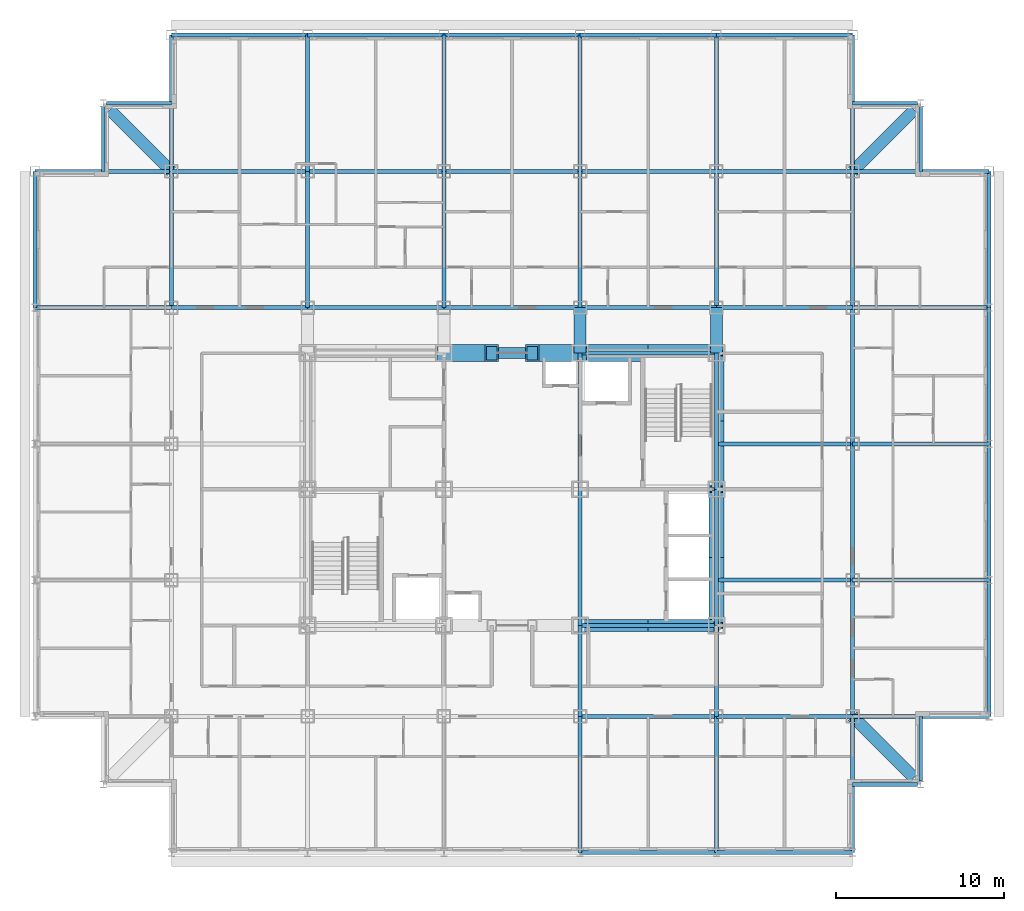
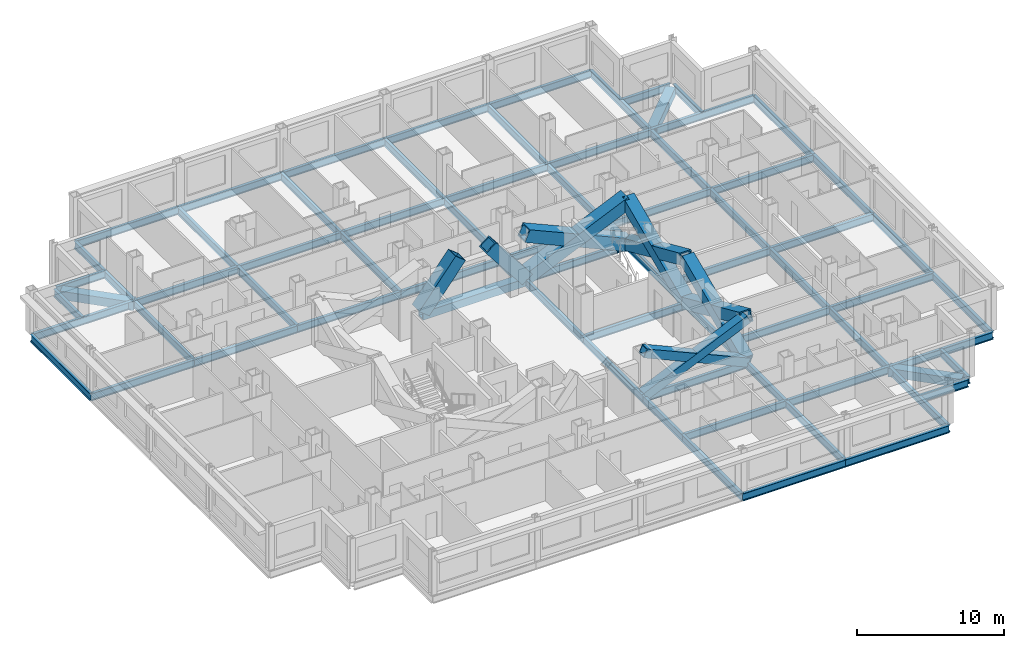
# One storey, part 2 of 12: 72 beams, 10 members.
"""IFC4 building model written with IfcOpenShell, lengths in metres."""

from ifc_helpers import new_model, si_unit, direction, frame, origin, origin_2d, place, context, subcontext, project, spatial, hollow_rectangle, i_section, extrude, material, material_profile, profile_set, type_object, element, save


model = new_model("IFC4")

# Units and contexts
model_context = context("Model", 3, precision=1e-05, world=origin(), true_north=direction((0.0, 1.0)))
body_context = subcontext(model_context, "Body", "Model", "MODEL_VIEW")
ifc_project = project(units=[si_unit("LENGTHUNIT", "METRE"), si_unit("AREAUNIT", "SQUARE_METRE"), si_unit("VOLUMEUNIT", "CUBIC_METRE"), si_unit("PLANEANGLEUNIT", "RADIAN"), si_unit("MASSUNIT", "GRAM", prefix="KILO")], contexts=[model_context])

# Site, building, storey
site_placement = place(None, origin())
site = spatial("IfcSite", under=ifc_project, at=site_placement, CompositionType="ELEMENT")
building_placement = place(site_placement, origin())
building = spatial("IfcBuilding", under=site, at=building_placement, Name="Kopane Lantern Tower", CompositionType="ELEMENT")
storey_placement = place(building_placement, frame((0.0, 0.0, 192.0)))
storey = spatial("IfcBuildingStorey", under=building, at=storey_placement, Name="L49", CompositionType="ELEMENT", Elevation=192.0)

# Members
ifc_material_1 = material(Name="Steel S355JR", Category="steel")
ifc_material_profile_1 = material_profile(ifc_material_1, hollow_rectangle(XDim=1.0, YDim=1.0, WallThickness=0.10009765625, at=origin_2d()), Name="BOX 1000x1000x100")
ifc_profile_set_1 = profile_set([ifc_material_profile_1], Name="Steel S355JR")
member_type_1 = type_object("IfcMemberType", Name="BRACE BOX 1000x1000x100", PredefinedType="BRACE", material=ifc_profile_set_1)
for number, where, z_axis, x_axis, name in (
    (1, (24.300048828125, 40.5, -0.2099609375), (0.620698858423, 0.0, 0.784049059149), (0.0, 1.0, 0.0), "Core brace L49"),
    (2, (32.39990234375, 40.5, -0.2099609375), (-0.620698858423, 0.0, 0.784049059149), (0.0, -1.0, 0.0), "Core brace L49"),
):
    element("IfcMember", number, at=place(storey_placement, frame(where, z_axis=z_axis, x_axis=x_axis)), inside=storey, type_object=member_type_1, Name=name, PredefinedType="BRACE", context=body_context, shape_type="SweptSolid", body=[
        extrude(hollow_rectangle(XDim=1.0, YDim=1.0, WallThickness=0.10009765625, at=origin_2d()), origin(), (0.0, 0.0, 1.0), 4.59130859375),
    ])
for number, where, z_axis, x_axis, name in (
    (3, (32.39990234375, 40.5, -0.2099609375), (0.913819498983, 0.0, 0.406120577265), (0.0, 1.0, 0.0), "Core brace L49"),
    (4, (40.5, 40.5, -0.2099609375), (-0.913819498983, 0.0, 0.406120577265), (0.0, -1.0, 0.0), "Core brace L49"),
):
    element("IfcMember", number, at=place(storey_placement, frame(where, z_axis=z_axis, x_axis=x_axis)), inside=storey, type_object=member_type_1, Name=name, PredefinedType="BRACE", context=body_context, shape_type="SweptSolid", body=[
        extrude(hollow_rectangle(XDim=1.0, YDim=1.0, WallThickness=0.10009765625, at=origin_2d()), origin(), (0.0, 0.0, 1.0), 8.864013671875),
    ])
ifc_material_2 = material(Name="Steel S355JR", Category="steel")
ifc_material_profile_2 = material_profile(ifc_material_2, hollow_rectangle(XDim=0.699951171875, YDim=0.699951171875, WallThickness=0.06005859375, at=origin_2d()), Name="BOX 700x700x60")
ifc_profile_set_2 = profile_set([ifc_material_profile_2], Name="Steel S355JR")
member_type_2 = type_object("IfcMemberType", Name="BRACE BOX 700x700x60", PredefinedType="BRACE", material=ifc_profile_set_2)
for number, where, z_axis, x_axis, name in (
    (5, (32.39990234375, 24.300048828125, -0.2099609375), (0.913819498983, 0.0, 0.406120577265), (0.0, 1.0, 0.0), "Core brace L49"),
    (6, (40.5, 24.300048828125, -0.2099609375), (-0.913819498983, 0.0, 0.406120577265), (0.0, -1.0, 0.0), "Core brace L49"),
):
    element("IfcMember", number, at=place(storey_placement, frame(where, z_axis=z_axis, x_axis=x_axis)), inside=storey, type_object=member_type_2, Name=name, PredefinedType="BRACE", context=body_context, shape_type="SweptSolid", body=[
        extrude(hollow_rectangle(XDim=0.699951171875, YDim=0.699951171875, WallThickness=0.06005859375, at=origin_2d()), origin(), (0.0, 0.0, 1.0), 8.864013671875),
    ])
ifc_material_3 = material(Name="Steel S355JR", Category="steel")
ifc_material_profile_3 = material_profile(ifc_material_3, hollow_rectangle(XDim=0.89990234375, YDim=0.89990234375, WallThickness=0.090087890625, at=origin_2d()), Name="BOX 900x900x90")
ifc_profile_set_3 = profile_set([ifc_material_profile_3], Name="Steel S355JR")
member_type_3 = type_object("IfcMemberType", Name="BRACE BOX 900x900x90", PredefinedType="BRACE", material=ifc_profile_set_3)
for number, where, z_axis, x_axis, name in (
    (7, (40.5, 24.300048828125, -0.2099609375), (0.0, 0.913814956047, 0.406130799256), (-1.0, 0.0, 0.0), "Core brace L49"),
    (8, (40.5, 32.39990234375, -0.2099609375), (0.0, -0.913814956047, 0.406130799256), (1.0, 0.0, 0.0), "Core brace L49"),
):
    element("IfcMember", number, at=place(storey_placement, frame(where, z_axis=z_axis, x_axis=x_axis)), inside=storey, type_object=member_type_3, Name=name, PredefinedType="BRACE", context=body_context, shape_type="SweptSolid", body=[
        extrude(hollow_rectangle(XDim=0.89990234375, YDim=0.89990234375, WallThickness=0.090087890625, at=origin_2d()), origin(), (0.0, 0.0, 1.0), 8.86376953125),
    ])
for number, where, z_axis, x_axis, name in (
    (9, (40.5, 32.39990234375, -0.2099609375), (0.0, 0.913819498983, 0.406120577265), (-1.0, 0.0, 0.0), "Core brace L49"),
    (10, (40.5, 40.5, -0.2099609375), (0.0, -0.913819498983, 0.406120577265), (1.0, 0.0, 0.0), "Core brace L49"),
):
    element("IfcMember", number, at=place(storey_placement, frame(where, z_axis=z_axis, x_axis=x_axis)), inside=storey, type_object=member_type_3, Name=name, PredefinedType="BRACE", context=body_context, shape_type="SweptSolid", body=[
        extrude(hollow_rectangle(XDim=0.89990234375, YDim=0.89990234375, WallThickness=0.090087890625, at=origin_2d()), origin(), (0.0, 0.0, 1.0), 8.864013671875),
    ])

# Beams
ifc_material_4 = material(Name="Steel S355JR", Category="steel")
ifc_material_profile_4 = material_profile(ifc_material_4, i_section(OverallWidth=0.22900390625, OverallDepth=0.6123046875, WebThickness=0.011962890625, FlangeThickness=0.01953125, FilletRadius=0.0126953125, at=origin_2d()), Name="UB 610x229x125")
ifc_profile_set_4 = profile_set([ifc_material_profile_4], Name="Steel S355JR")
beam_type_1 = type_object("IfcBeamType", Name="CORE BEAM UB 610x229x125", PredefinedType="BEAM", material=ifc_profile_set_4)
beam_1_placement = place(storey_placement, frame((32.39990234375, 24.300048828125, -0.51611328125), z_axis=(0.0, 1.0, 0.0), x_axis=(-1.0, 0.0, 0.0)))
element("IfcBeam", 11, at=beam_1_placement, inside=storey, type_object=beam_type_1, Name="Core Beam L49", PredefinedType="BEAM", context=body_context, shape_type="SweptSolid", body=[
    extrude(i_section(OverallWidth=0.22900390625, OverallDepth=0.6123046875, WebThickness=0.011962890625, FlangeThickness=0.01953125, FilletRadius=0.0126953125, at=origin_2d()), origin(), (0.0, 0.0, 1.0), 8.099853515625),
])
for number, where, z_axis, x_axis, name in (
    (12, (32.39990234375, 32.39990234375, -0.51611328125), (0.0, 1.0, 0.0), (-1.0, 0.0, 0.0), "Core Beam L49"),
    (13, (32.39990234375, 32.39990234375, -0.51611328125), (1.0, 0.0, 0.0), (0.0, 1.0, 0.0), "Core Beam L49"),
):
    element("IfcBeam", number, at=place(storey_placement, frame(where, z_axis=z_axis, x_axis=x_axis)), inside=storey, type_object=beam_type_1, Name=name, PredefinedType="BEAM", context=body_context, shape_type="SweptSolid", body=[
        extrude(i_section(OverallWidth=0.22900390625, OverallDepth=0.6123046875, WebThickness=0.011962890625, FlangeThickness=0.01953125, FilletRadius=0.0126953125, at=origin_2d()), origin(), (0.0, 0.0, 1.0), 8.10009765625),
    ])
ifc_material_5 = material(Name="Steel S355JR", Category="steel")
ifc_material_profile_5 = material_profile(ifc_material_5, hollow_rectangle(XDim=0.699951171875, YDim=0.699951171875, WallThickness=0.06005859375, at=origin_2d()), Name="BOX 700x700x60")
ifc_profile_set_5 = profile_set([ifc_material_profile_5], Name="Steel S355JR")
beam_type_2 = type_object("IfcBeamType", Name="CORNER TIE BEAM BOX 700x700x60", PredefinedType="BEAM", material=ifc_profile_set_5)
for number, where, z_axis, x_axis, name in (
    (14, (4.447509765625, 54.952392578125, -0.56005859375), (0.70713041325, -0.707083148333, 0.0), (0.707083148333, 0.70713041325, 0.0), "Corner Tie Beam L49"),
    (15, (52.25244140625, 15.24755859375, -0.56005859375), (-0.707106781187, 0.707106781187, 0.0), (-0.707106781187, -0.707106781187, 0.0), "Corner Tie Beam L49"),
    (16, (52.25244140625, 54.952392578125, -0.56005859375), (-0.707106781187, -0.707106781187, 0.0), (0.707106781187, -0.707106781187, 0.0), "Corner Tie Beam L49"),
):
    element("IfcBeam", number, at=place(storey_placement, frame(where, z_axis=z_axis, x_axis=x_axis)), inside=storey, type_object=beam_type_2, Name=name, PredefinedType="BEAM", context=body_context, shape_type="SweptSolid", body=[
        extrude(hollow_rectangle(XDim=0.699951171875, YDim=0.699951171875, WallThickness=0.06005859375, at=origin_2d()), origin(), (0.0, 0.0, 1.0), 5.165283203125),
    ])
ifc_material_6 = material(Name="Steel S355JR", Category="steel")
ifc_material_profile_6 = material_profile(ifc_material_6, i_section(OverallWidth=0.22900390625, OverallDepth=0.6123046875, WebThickness=0.011962890625, FlangeThickness=0.01953125, FilletRadius=0.0126953125, at=origin_2d()), Name="UB 610x229x125")
ifc_profile_set_6 = profile_set([ifc_material_profile_6], Name="Steel S355JR")
beam_type_3 = type_object("IfcBeamType", Name="EDGE BEAM UB 610x229x125", PredefinedType="BEAM", material=ifc_profile_set_6)
beam_2_placement = place(storey_placement, frame((4.050048828125, 55.146484375, -0.51611328125), z_axis=(0.0, -1.0, 0.0), x_axis=(1.0, 0.0, 0.0)))
element("IfcBeam", 17, at=beam_2_placement, inside=storey, type_object=beam_type_3, Name="Edge Beam L49", PredefinedType="BEAM", context=body_context, shape_type="SweptSolid", body=[
    extrude(i_section(OverallWidth=0.22900390625, OverallDepth=0.6123046875, WebThickness=0.011962890625, FlangeThickness=0.01953125, FilletRadius=0.0126953125, at=origin_2d()), origin(), (0.0, 0.0, 1.0), 3.846435546875),
])
beam_3_placement = place(storey_placement, frame((4.25341796875, 55.35009765625, -0.51611328125), z_axis=(1.0, 0.0, 0.0), x_axis=(0.0, 1.0, 0.0)))
element("IfcBeam", 18, at=beam_3_placement, inside=storey, type_object=beam_type_3, Name="Edge Beam L49", PredefinedType="BEAM", context=body_context, shape_type="SweptSolid", body=[
    extrude(i_section(OverallWidth=0.22900390625, OverallDepth=0.6123046875, WebThickness=0.011962890625, FlangeThickness=0.01953125, FilletRadius=0.0126953125, at=origin_2d()), origin(), (0.0, 0.0, 1.0), 3.8466796875),
])
for number, where, z_axis, x_axis, name in (
    (19, (52.446533203125, 14.85009765625, -0.51611328125), (-1.0, 0.0, 0.0), (0.0, -1.0, 0.0), "Edge Beam L49"),
    (20, (52.446533203125, 55.35009765625, -0.51611328125), (-1.0, 0.0, 0.0), (0.0, -1.0, 0.0), "Edge Beam L49"),
    (21, (52.64990234375, 15.053466796875, -0.51611328125), (0.0, 1.0, 0.0), (-1.0, 0.0, 0.0), "Edge Beam L49"),
    (22, (52.64990234375, 55.146484375, -0.51611328125), (0.0, -1.0, 0.0), (1.0, 0.0, 0.0), "Edge Beam L49"),
):
    element("IfcBeam", number, at=place(storey_placement, frame(where, z_axis=z_axis, x_axis=x_axis)), inside=storey, type_object=beam_type_3, Name=name, PredefinedType="BEAM", context=body_context, shape_type="SweptSolid", body=[
        extrude(i_section(OverallWidth=0.22900390625, OverallDepth=0.6123046875, WebThickness=0.011962890625, FlangeThickness=0.01953125, FilletRadius=0.0126953125, at=origin_2d()), origin(), (0.0, 0.0, 1.0), 3.846435546875),
    ])
ifc_material_7 = material(Name="Steel S355JR", Category="steel")
ifc_material_profile_7 = material_profile(ifc_material_7, hollow_rectangle(XDim=0.699951171875, YDim=0.699951171875, WallThickness=0.06005859375, at=origin_2d()), Name="BOX 700x700x60")
ifc_profile_set_7 = profile_set([ifc_material_profile_7], Name="Steel S355JR")
beam_type_4 = type_object("IfcBeamType", Name="GIRDER BOX 700x700x60", PredefinedType="BEAM", material=ifc_profile_set_7)
for number, where, z_axis, x_axis, name in (
    (23, (32.39990234375, 40.5, -0.56005859375), (0.0, 1.0, 0.0), (-1.0, 0.0, 0.0), "Girder L49"),
    (24, (40.5, 40.5, -0.56005859375), (0.0, 1.0, 0.0), (-1.0, 0.0, 0.0), "Girder L49"),
):
    element("IfcBeam", number, at=place(storey_placement, frame(where, z_axis=z_axis, x_axis=x_axis)), inside=storey, type_object=beam_type_4, Name=name, PredefinedType="BEAM", context=body_context, shape_type="SweptSolid", body=[
        extrude(hollow_rectangle(XDim=0.699951171875, YDim=0.699951171875, WallThickness=0.06005859375, at=origin_2d()), origin(), (0.0, 0.0, 1.0), 2.699951171875),
    ])
ifc_material_8 = material(Name="Steel S355JR", Category="steel")
ifc_material_profile_8 = material_profile(ifc_material_8, i_section(OverallWidth=0.22900390625, OverallDepth=0.6123046875, WebThickness=0.011962890625, FlangeThickness=0.01953125, FilletRadius=0.0126953125, at=origin_2d()), Name="UB 610x229x125")
ifc_profile_set_8 = profile_set([ifc_material_profile_8], Name="Steel S355JR")
beam_type_5 = type_object("IfcBeamType", Name="GIRDER UB 610x229x125", PredefinedType="BEAM", material=ifc_profile_set_8)
for number, where, z_axis, x_axis, name in (
    (25, (0.0, 43.199951171875, -0.51611328125), (0.0, 1.0, 0.0), (-1.0, 0.0, 0.0), "Girder L49"),
    (26, (0.0, 43.199951171875, -0.51611328125), (1.0, 0.0, 0.0), (0.0, 1.0, 0.0), "Girder L49"),
    (27, (0.0, 51.300048828125, -0.51611328125), (1.0, 0.0, 0.0), (0.0, 1.0, 0.0), "Girder L49"),
    (28, (8.10009765625, 43.199951171875, -0.51611328125), (0.0, 1.0, 0.0), (-1.0, 0.0, 0.0), "Girder L49"),
):
    element("IfcBeam", number, at=place(storey_placement, frame(where, z_axis=z_axis, x_axis=x_axis)), inside=storey, type_object=beam_type_5, Name=name, PredefinedType="BEAM", context=body_context, shape_type="SweptSolid", body=[
        extrude(i_section(OverallWidth=0.22900390625, OverallDepth=0.6123046875, WebThickness=0.011962890625, FlangeThickness=0.01953125, FilletRadius=0.0126953125, at=origin_2d()), origin(), (0.0, 0.0, 1.0), 8.10009765625),
    ])
for number, where, z_axis, x_axis, name in (
    (29, (8.10009765625, 43.199951171875, -0.51611328125), (1.0, 0.0, 0.0), (0.0, 1.0, 0.0), "Girder L49"),
    (30, (8.10009765625, 51.300048828125, -0.51611328125), (0.0, 1.0, 0.0), (-1.0, 0.0, 0.0), "Girder L49"),
    (31, (8.10009765625, 51.300048828125, -0.51611328125), (1.0, 0.0, 0.0), (0.0, 1.0, 0.0), "Girder L49"),
    (32, (8.10009765625, 59.39990234375, -0.51611328125), (1.0, 0.0, 0.0), (0.0, 1.0, 0.0), "Girder L49"),
):
    element("IfcBeam", number, at=place(storey_placement, frame(where, z_axis=z_axis, x_axis=x_axis)), inside=storey, type_object=beam_type_5, Name=name, PredefinedType="BEAM", context=body_context, shape_type="SweptSolid", body=[
        extrude(i_section(OverallWidth=0.22900390625, OverallDepth=0.6123046875, WebThickness=0.011962890625, FlangeThickness=0.01953125, FilletRadius=0.0126953125, at=origin_2d()), origin(), (0.0, 0.0, 1.0), 8.099853515625),
    ])
for number, where, z_axis, x_axis, name in (
    (33, (16.199951171875, 43.199951171875, -0.51611328125), (0.0, 1.0, 0.0), (-1.0, 0.0, 0.0), "Girder L49"),
    (34, (16.199951171875, 43.199951171875, -0.51611328125), (1.0, 0.0, 0.0), (0.0, 1.0, 0.0), "Girder L49"),
):
    element("IfcBeam", number, at=place(storey_placement, frame(where, z_axis=z_axis, x_axis=x_axis)), inside=storey, type_object=beam_type_5, Name=name, PredefinedType="BEAM", context=body_context, shape_type="SweptSolid", body=[
        extrude(i_section(OverallWidth=0.22900390625, OverallDepth=0.6123046875, WebThickness=0.011962890625, FlangeThickness=0.01953125, FilletRadius=0.0126953125, at=origin_2d()), origin(), (0.0, 0.0, 1.0), 8.10009765625),
    ])
beam_4_placement = place(storey_placement, frame((16.199951171875, 51.300048828125, -0.51611328125), z_axis=(0.0, 1.0, 0.0), x_axis=(-1.0, 0.0, 0.0)))
element("IfcBeam", 35, at=beam_4_placement, inside=storey, type_object=beam_type_5, Name="Girder L49", PredefinedType="BEAM", context=body_context, shape_type="SweptSolid", body=[
    extrude(i_section(OverallWidth=0.22900390625, OverallDepth=0.6123046875, WebThickness=0.011962890625, FlangeThickness=0.01953125, FilletRadius=0.0126953125, at=origin_2d()), origin(), (0.0, 0.0, 1.0), 8.099853515625),
])
for number, where, z_axis, x_axis, name in (
    (36, (16.199951171875, 51.300048828125, -0.51611328125), (1.0, 0.0, 0.0), (0.0, 1.0, 0.0), "Girder L49"),
    (37, (16.199951171875, 59.39990234375, -0.51611328125), (1.0, 0.0, 0.0), (0.0, 1.0, 0.0), "Girder L49"),
    (38, (24.300048828125, 43.199951171875, -0.51611328125), (0.0, 1.0, 0.0), (-1.0, 0.0, 0.0), "Girder L49"),
):
    element("IfcBeam", number, at=place(storey_placement, frame(where, z_axis=z_axis, x_axis=x_axis)), inside=storey, type_object=beam_type_5, Name=name, PredefinedType="BEAM", context=body_context, shape_type="SweptSolid", body=[
        extrude(i_section(OverallWidth=0.22900390625, OverallDepth=0.6123046875, WebThickness=0.011962890625, FlangeThickness=0.01953125, FilletRadius=0.0126953125, at=origin_2d()), origin(), (0.0, 0.0, 1.0), 8.10009765625),
    ])
for number, where, z_axis, x_axis, name in (
    (39, (24.300048828125, 43.199951171875, -0.51611328125), (1.0, 0.0, 0.0), (0.0, 1.0, 0.0), "Girder L49"),
    (40, (24.300048828125, 51.300048828125, -0.51611328125), (0.0, 1.0, 0.0), (-1.0, 0.0, 0.0), "Girder L49"),
    (41, (24.300048828125, 51.300048828125, -0.51611328125), (1.0, 0.0, 0.0), (0.0, 1.0, 0.0), "Girder L49"),
    (42, (24.300048828125, 59.39990234375, -0.51611328125), (1.0, 0.0, 0.0), (0.0, 1.0, 0.0), "Girder L49"),
    (43, (32.39990234375, 10.800048828125, -0.51611328125), (0.0, 1.0, 0.0), (-1.0, 0.0, 0.0), "Girder L49"),
):
    element("IfcBeam", number, at=place(storey_placement, frame(where, z_axis=z_axis, x_axis=x_axis)), inside=storey, type_object=beam_type_5, Name=name, PredefinedType="BEAM", context=body_context, shape_type="SweptSolid", body=[
        extrude(i_section(OverallWidth=0.22900390625, OverallDepth=0.6123046875, WebThickness=0.011962890625, FlangeThickness=0.01953125, FilletRadius=0.0126953125, at=origin_2d()), origin(), (0.0, 0.0, 1.0), 8.099853515625),
    ])
beam_5_placement = place(storey_placement, frame((32.39990234375, 10.800048828125, -0.51611328125), z_axis=(1.0, 0.0, 0.0), x_axis=(0.0, 1.0, 0.0)))
element("IfcBeam", 44, at=beam_5_placement, inside=storey, type_object=beam_type_5, Name="Girder L49", PredefinedType="BEAM", context=body_context, shape_type="SweptSolid", body=[
    extrude(i_section(OverallWidth=0.22900390625, OverallDepth=0.6123046875, WebThickness=0.011962890625, FlangeThickness=0.01953125, FilletRadius=0.0126953125, at=origin_2d()), origin(), (0.0, 0.0, 1.0), 8.10009765625),
])
beam_6_placement = place(storey_placement, frame((32.39990234375, 18.89990234375, -0.51611328125), z_axis=(0.0, 1.0, 0.0), x_axis=(-1.0, 0.0, 0.0)))
element("IfcBeam", 45, at=beam_6_placement, inside=storey, type_object=beam_type_5, Name="Girder L49", PredefinedType="BEAM", context=body_context, shape_type="SweptSolid", body=[
    extrude(i_section(OverallWidth=0.22900390625, OverallDepth=0.6123046875, WebThickness=0.011962890625, FlangeThickness=0.01953125, FilletRadius=0.0126953125, at=origin_2d()), origin(), (0.0, 0.0, 1.0), 5.400146484375),
])
for number, where, z_axis, x_axis, name in (
    (46, (32.39990234375, 18.89990234375, -0.51611328125), (1.0, 0.0, 0.0), (0.0, 1.0, 0.0), "Girder L49"),
    (47, (32.39990234375, 24.300048828125, -0.51611328125), (1.0, 0.0, 0.0), (0.0, 1.0, 0.0), "Girder L49"),
    (48, (32.39990234375, 40.5, -0.51611328125), (1.0, 0.0, 0.0), (0.0, 1.0, 0.0), "Girder L49"),
    (49, (32.39990234375, 43.199951171875, -0.51611328125), (0.0, 1.0, 0.0), (-1.0, 0.0, 0.0), "Girder L49"),
    (50, (32.39990234375, 43.199951171875, -0.51611328125), (1.0, 0.0, 0.0), (0.0, 1.0, 0.0), "Girder L49"),
):
    element("IfcBeam", number, at=place(storey_placement, frame(where, z_axis=z_axis, x_axis=x_axis)), inside=storey, type_object=beam_type_5, Name=name, PredefinedType="BEAM", context=body_context, shape_type="SweptSolid", body=[
        extrude(i_section(OverallWidth=0.22900390625, OverallDepth=0.6123046875, WebThickness=0.011962890625, FlangeThickness=0.01953125, FilletRadius=0.0126953125, at=origin_2d()), origin(), (0.0, 0.0, 1.0), 8.10009765625),
    ])
beam_7_placement = place(storey_placement, frame((32.39990234375, 51.300048828125, -0.51611328125), z_axis=(0.0, 1.0, 0.0), x_axis=(-1.0, 0.0, 0.0)))
element("IfcBeam", 51, at=beam_7_placement, inside=storey, type_object=beam_type_5, Name="Girder L49", PredefinedType="BEAM", context=body_context, shape_type="SweptSolid", body=[
    extrude(i_section(OverallWidth=0.22900390625, OverallDepth=0.6123046875, WebThickness=0.011962890625, FlangeThickness=0.01953125, FilletRadius=0.0126953125, at=origin_2d()), origin(), (0.0, 0.0, 1.0), 8.099853515625),
])
for number, where, z_axis, x_axis, name in (
    (52, (32.39990234375, 51.300048828125, -0.51611328125), (1.0, 0.0, 0.0), (0.0, 1.0, 0.0), "Girder L49"),
    (53, (32.39990234375, 59.39990234375, -0.51611328125), (1.0, 0.0, 0.0), (0.0, 1.0, 0.0), "Girder L49"),
):
    element("IfcBeam", number, at=place(storey_placement, frame(where, z_axis=z_axis, x_axis=x_axis)), inside=storey, type_object=beam_type_5, Name=name, PredefinedType="BEAM", context=body_context, shape_type="SweptSolid", body=[
        extrude(i_section(OverallWidth=0.22900390625, OverallDepth=0.6123046875, WebThickness=0.011962890625, FlangeThickness=0.01953125, FilletRadius=0.0126953125, at=origin_2d()), origin(), (0.0, 0.0, 1.0), 8.10009765625),
    ])
beam_8_placement = place(storey_placement, frame((40.5, 10.800048828125, -0.51611328125), z_axis=(0.0, 1.0, 0.0), x_axis=(-1.0, 0.0, 0.0)))
element("IfcBeam", 54, at=beam_8_placement, inside=storey, type_object=beam_type_5, Name="Girder L49", PredefinedType="BEAM", context=body_context, shape_type="SweptSolid", body=[
    extrude(i_section(OverallWidth=0.22900390625, OverallDepth=0.6123046875, WebThickness=0.011962890625, FlangeThickness=0.01953125, FilletRadius=0.0126953125, at=origin_2d()), origin(), (0.0, 0.0, 1.0), 8.099853515625),
])
beam_9_placement = place(storey_placement, frame((40.5, 10.800048828125, -0.51611328125), z_axis=(1.0, 0.0, 0.0), x_axis=(0.0, 1.0, 0.0)))
element("IfcBeam", 55, at=beam_9_placement, inside=storey, type_object=beam_type_5, Name="Girder L49", PredefinedType="BEAM", context=body_context, shape_type="SweptSolid", body=[
    extrude(i_section(OverallWidth=0.22900390625, OverallDepth=0.6123046875, WebThickness=0.011962890625, FlangeThickness=0.01953125, FilletRadius=0.0126953125, at=origin_2d()), origin(), (0.0, 0.0, 1.0), 8.10009765625),
])
beam_10_placement = place(storey_placement, frame((40.5, 18.89990234375, -0.51611328125), z_axis=(0.0, 1.0, 0.0), x_axis=(-1.0, 0.0, 0.0)))
element("IfcBeam", 56, at=beam_10_placement, inside=storey, type_object=beam_type_5, Name="Girder L49", PredefinedType="BEAM", context=body_context, shape_type="SweptSolid", body=[
    extrude(i_section(OverallWidth=0.22900390625, OverallDepth=0.6123046875, WebThickness=0.011962890625, FlangeThickness=0.01953125, FilletRadius=0.0126953125, at=origin_2d()), origin(), (0.0, 0.0, 1.0), 5.400146484375),
])
beam_11_placement = place(storey_placement, frame((40.5, 18.89990234375, -0.51611328125), z_axis=(1.0, 0.0, 0.0), x_axis=(0.0, 1.0, 0.0)))
element("IfcBeam", 57, at=beam_11_placement, inside=storey, type_object=beam_type_5, Name="Girder L49", PredefinedType="BEAM", context=body_context, shape_type="SweptSolid", body=[
    extrude(i_section(OverallWidth=0.22900390625, OverallDepth=0.6123046875, WebThickness=0.011962890625, FlangeThickness=0.01953125, FilletRadius=0.0126953125, at=origin_2d()), origin(), (0.0, 0.0, 1.0), 8.10009765625),
])
beam_12_placement = place(storey_placement, frame((40.5, 24.300048828125, -0.51611328125), z_axis=(0.0, 1.0, 0.0), x_axis=(-1.0, 0.0, 0.0)))
element("IfcBeam", 58, at=beam_12_placement, inside=storey, type_object=beam_type_5, Name="Girder L49", PredefinedType="BEAM", context=body_context, shape_type="SweptSolid", body=[
    extrude(i_section(OverallWidth=0.22900390625, OverallDepth=0.6123046875, WebThickness=0.011962890625, FlangeThickness=0.01953125, FilletRadius=0.0126953125, at=origin_2d()), origin(), (0.0, 0.0, 1.0), 8.099853515625),
])
for number, where, z_axis, x_axis, name in (
    (59, (40.5, 27.0, -0.51611328125), (1.0, 0.0, 0.0), (0.0, 1.0, 0.0), "Girder L49"),
    (60, (40.5, 32.39990234375, -0.51611328125), (0.0, 1.0, 0.0), (-1.0, 0.0, 0.0), "Girder L49"),
    (61, (40.5, 35.10009765625, -0.51611328125), (1.0, 0.0, 0.0), (0.0, 1.0, 0.0), "Girder L49"),
    (62, (40.5, 43.199951171875, -0.51611328125), (0.0, 1.0, 0.0), (-1.0, 0.0, 0.0), "Girder L49"),
    (63, (40.5, 43.199951171875, -0.51611328125), (1.0, 0.0, 0.0), (0.0, 1.0, 0.0), "Girder L49"),
):
    element("IfcBeam", number, at=place(storey_placement, frame(where, z_axis=z_axis, x_axis=x_axis)), inside=storey, type_object=beam_type_5, Name=name, PredefinedType="BEAM", context=body_context, shape_type="SweptSolid", body=[
        extrude(i_section(OverallWidth=0.22900390625, OverallDepth=0.6123046875, WebThickness=0.011962890625, FlangeThickness=0.01953125, FilletRadius=0.0126953125, at=origin_2d()), origin(), (0.0, 0.0, 1.0), 8.10009765625),
    ])
beam_13_placement = place(storey_placement, frame((40.5, 51.300048828125, -0.51611328125), z_axis=(0.0, 1.0, 0.0), x_axis=(-1.0, 0.0, 0.0)))
element("IfcBeam", 64, at=beam_13_placement, inside=storey, type_object=beam_type_5, Name="Girder L49", PredefinedType="BEAM", context=body_context, shape_type="SweptSolid", body=[
    extrude(i_section(OverallWidth=0.22900390625, OverallDepth=0.6123046875, WebThickness=0.011962890625, FlangeThickness=0.01953125, FilletRadius=0.0126953125, at=origin_2d()), origin(), (0.0, 0.0, 1.0), 8.099853515625),
])
for number, where, z_axis, x_axis, name in (
    (65, (40.5, 51.300048828125, -0.51611328125), (1.0, 0.0, 0.0), (0.0, 1.0, 0.0), "Girder L49"),
    (66, (40.5, 59.39990234375, -0.51611328125), (1.0, 0.0, 0.0), (0.0, 1.0, 0.0), "Girder L49"),
):
    element("IfcBeam", number, at=place(storey_placement, frame(where, z_axis=z_axis, x_axis=x_axis)), inside=storey, type_object=beam_type_5, Name=name, PredefinedType="BEAM", context=body_context, shape_type="SweptSolid", body=[
        extrude(i_section(OverallWidth=0.22900390625, OverallDepth=0.6123046875, WebThickness=0.011962890625, FlangeThickness=0.01953125, FilletRadius=0.0126953125, at=origin_2d()), origin(), (0.0, 0.0, 1.0), 8.10009765625),
    ])
beam_14_placement = place(storey_placement, frame((48.60009765625, 10.800048828125, -0.51611328125), z_axis=(0.0, 1.0, 0.0), x_axis=(-1.0, 0.0, 0.0)))
element("IfcBeam", 67, at=beam_14_placement, inside=storey, type_object=beam_type_5, Name="Girder L49", PredefinedType="BEAM", context=body_context, shape_type="SweptSolid", body=[
    extrude(i_section(OverallWidth=0.22900390625, OverallDepth=0.6123046875, WebThickness=0.011962890625, FlangeThickness=0.01953125, FilletRadius=0.0126953125, at=origin_2d()), origin(), (0.0, 0.0, 1.0), 8.099853515625),
])
beam_15_placement = place(storey_placement, frame((48.60009765625, 18.89990234375, -0.51611328125), z_axis=(0.0, 1.0, 0.0), x_axis=(-1.0, 0.0, 0.0)))
element("IfcBeam", 68, at=beam_15_placement, inside=storey, type_object=beam_type_5, Name="Girder L49", PredefinedType="BEAM", context=body_context, shape_type="SweptSolid", body=[
    extrude(i_section(OverallWidth=0.22900390625, OverallDepth=0.6123046875, WebThickness=0.011962890625, FlangeThickness=0.01953125, FilletRadius=0.0126953125, at=origin_2d()), origin(), (0.0, 0.0, 1.0), 8.10009765625),
])
beam_16_placement = place(storey_placement, frame((48.60009765625, 18.89990234375, -0.51611328125), z_axis=(1.0, 0.0, 0.0), x_axis=(0.0, 1.0, 0.0)))
element("IfcBeam", 69, at=beam_16_placement, inside=storey, type_object=beam_type_5, Name="Girder L49", PredefinedType="BEAM", context=body_context, shape_type="SweptSolid", body=[
    extrude(i_section(OverallWidth=0.22900390625, OverallDepth=0.6123046875, WebThickness=0.011962890625, FlangeThickness=0.01953125, FilletRadius=0.0126953125, at=origin_2d()), origin(), (0.0, 0.0, 1.0), 8.099853515625),
])
beam_17_placement = place(storey_placement, frame((48.60009765625, 27.0, -0.51611328125), z_axis=(0.0, 1.0, 0.0), x_axis=(-1.0, 0.0, 0.0)))
element("IfcBeam", 70, at=beam_17_placement, inside=storey, type_object=beam_type_5, Name="Girder L49", PredefinedType="BEAM", context=body_context, shape_type="SweptSolid", body=[
    extrude(i_section(OverallWidth=0.22900390625, OverallDepth=0.6123046875, WebThickness=0.011962890625, FlangeThickness=0.01953125, FilletRadius=0.0126953125, at=origin_2d()), origin(), (0.0, 0.0, 1.0), 8.10009765625),
])
for number, where, z_axis, x_axis, name in (
    (71, (48.60009765625, 27.0, -0.51611328125), (1.0, 0.0, 0.0), (0.0, 1.0, 0.0), "Girder L49"),
    (72, (48.60009765625, 35.10009765625, -0.51611328125), (0.0, 1.0, 0.0), (-1.0, 0.0, 0.0), "Girder L49"),
    (73, (48.60009765625, 35.10009765625, -0.51611328125), (1.0, 0.0, 0.0), (0.0, 1.0, 0.0), "Girder L49"),
):
    element("IfcBeam", number, at=place(storey_placement, frame(where, z_axis=z_axis, x_axis=x_axis)), inside=storey, type_object=beam_type_5, Name=name, PredefinedType="BEAM", context=body_context, shape_type="SweptSolid", body=[
        extrude(i_section(OverallWidth=0.22900390625, OverallDepth=0.6123046875, WebThickness=0.011962890625, FlangeThickness=0.01953125, FilletRadius=0.0126953125, at=origin_2d()), origin(), (0.0, 0.0, 1.0), 8.099853515625),
    ])
beam_18_placement = place(storey_placement, frame((48.60009765625, 43.199951171875, -0.51611328125), z_axis=(0.0, 1.0, 0.0), x_axis=(-1.0, 0.0, 0.0)))
element("IfcBeam", 74, at=beam_18_placement, inside=storey, type_object=beam_type_5, Name="Girder L49", PredefinedType="BEAM", context=body_context, shape_type="SweptSolid", body=[
    extrude(i_section(OverallWidth=0.22900390625, OverallDepth=0.6123046875, WebThickness=0.011962890625, FlangeThickness=0.01953125, FilletRadius=0.0126953125, at=origin_2d()), origin(), (0.0, 0.0, 1.0), 8.10009765625),
])
for number, where, z_axis, x_axis, name in (
    (75, (48.60009765625, 43.199951171875, -0.51611328125), (1.0, 0.0, 0.0), (0.0, 1.0, 0.0), "Girder L49"),
    (76, (48.60009765625, 51.300048828125, -0.51611328125), (0.0, 1.0, 0.0), (-1.0, 0.0, 0.0), "Girder L49"),
    (77, (48.60009765625, 51.300048828125, -0.51611328125), (1.0, 0.0, 0.0), (0.0, 1.0, 0.0), "Girder L49"),
):
    element("IfcBeam", number, at=place(storey_placement, frame(where, z_axis=z_axis, x_axis=x_axis)), inside=storey, type_object=beam_type_5, Name=name, PredefinedType="BEAM", context=body_context, shape_type="SweptSolid", body=[
        extrude(i_section(OverallWidth=0.22900390625, OverallDepth=0.6123046875, WebThickness=0.011962890625, FlangeThickness=0.01953125, FilletRadius=0.0126953125, at=origin_2d()), origin(), (0.0, 0.0, 1.0), 8.099853515625),
    ])
for number, where, z_axis, x_axis, name in (
    (78, (56.699951171875, 18.89990234375, -0.51611328125), (0.0, 1.0, 0.0), (-1.0, 0.0, 0.0), "Girder L49"),
    (79, (56.699951171875, 27.0, -0.51611328125), (0.0, 1.0, 0.0), (-1.0, 0.0, 0.0), "Girder L49"),
):
    element("IfcBeam", number, at=place(storey_placement, frame(where, z_axis=z_axis, x_axis=x_axis)), inside=storey, type_object=beam_type_5, Name=name, PredefinedType="BEAM", context=body_context, shape_type="SweptSolid", body=[
        extrude(i_section(OverallWidth=0.22900390625, OverallDepth=0.6123046875, WebThickness=0.011962890625, FlangeThickness=0.01953125, FilletRadius=0.0126953125, at=origin_2d()), origin(), (0.0, 0.0, 1.0), 8.10009765625),
    ])
beam_19_placement = place(storey_placement, frame((56.699951171875, 35.10009765625, -0.51611328125), z_axis=(0.0, 1.0, 0.0), x_axis=(-1.0, 0.0, 0.0)))
element("IfcBeam", 80, at=beam_19_placement, inside=storey, type_object=beam_type_5, Name="Girder L49", PredefinedType="BEAM", context=body_context, shape_type="SweptSolid", body=[
    extrude(i_section(OverallWidth=0.22900390625, OverallDepth=0.6123046875, WebThickness=0.011962890625, FlangeThickness=0.01953125, FilletRadius=0.0126953125, at=origin_2d()), origin(), (0.0, 0.0, 1.0), 8.099853515625),
])
beam_20_placement = place(storey_placement, frame((56.699951171875, 43.199951171875, -0.51611328125), z_axis=(0.0, 1.0, 0.0), x_axis=(-1.0, 0.0, 0.0)))
element("IfcBeam", 81, at=beam_20_placement, inside=storey, type_object=beam_type_5, Name="Girder L49", PredefinedType="BEAM", context=body_context, shape_type="SweptSolid", body=[
    extrude(i_section(OverallWidth=0.22900390625, OverallDepth=0.6123046875, WebThickness=0.011962890625, FlangeThickness=0.01953125, FilletRadius=0.0126953125, at=origin_2d()), origin(), (0.0, 0.0, 1.0), 8.10009765625),
])
ifc_material_9 = material(Name="Steel S355JR", Category="steel")
ifc_material_profile_9 = material_profile(ifc_material_9, hollow_rectangle(XDim=0.64990234375, YDim=0.64990234375, WallThickness=0.070068359375, at=origin_2d()), Name="BOX 650x650x70")
ifc_profile_set_9 = profile_set([ifc_material_profile_9], Name="Steel S355JR")
beam_type_6 = type_object("IfcBeamType", Name="LINK BEAM BOX 650x650x70", PredefinedType="BEAM", material=ifc_profile_set_9)
beam_21_placement = place(storey_placement, frame((24.300048828125, 40.5, -0.534912109375), z_axis=(1.0, 0.0, 0.0), x_axis=(0.0, 1.0, 0.0)))
element("IfcBeam", 82, at=beam_21_placement, inside=storey, type_object=beam_type_6, Name="Link Beam L49", PredefinedType="BEAM", context=body_context, shape_type="SweptSolid", body=[
    extrude(hollow_rectangle(XDim=0.64990234375, YDim=0.64990234375, WallThickness=0.070068359375, at=origin_2d()), origin(), (0.0, 0.0, 1.0), 8.099853515625),
])

save(model, "model.ifc")
